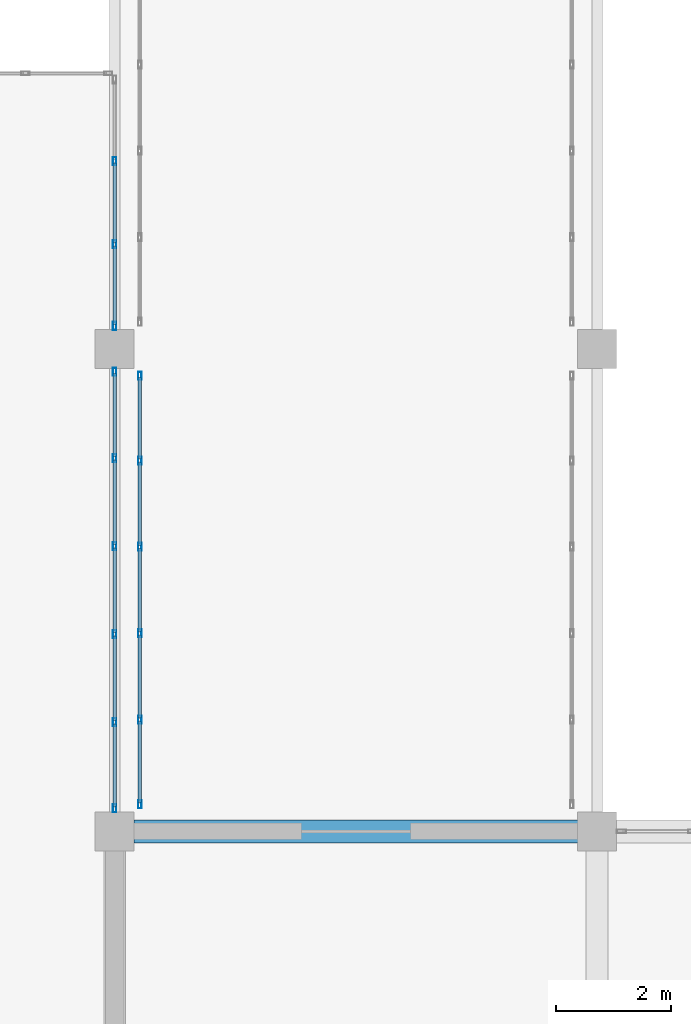
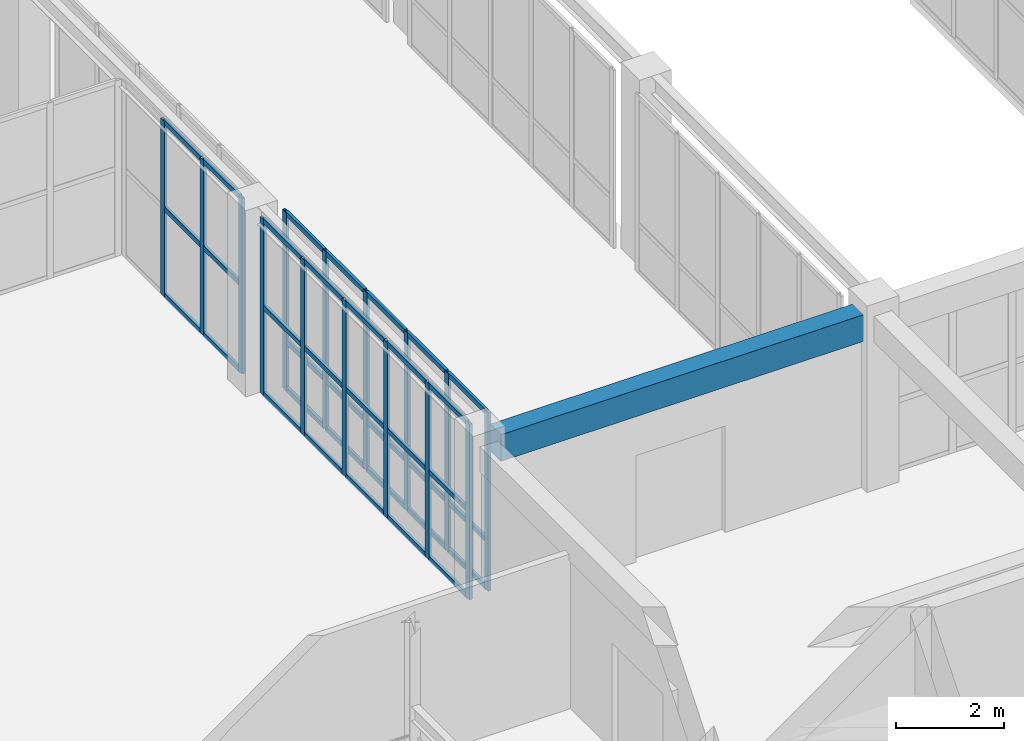
# One storey, part 58 of 140: 51 members, 1 beam, 3 elements without a shape of their own.
"""IFC4 building model written with IfcOpenShell, lengths in metres."""

from ifc_helpers import new_model, si_unit, direction, frame, origin, origin_2d, place, context, subcontext, project, spatial, rectangle, hollow_rectangle, extrude, material, layer, layer_set, material_profile, profile_set, type_object, element, aggregate, save


model = new_model("IFC4")

# Units and contexts
model_context = context("Model", 3, precision=1e-05, world=origin(), true_north=direction((0.0, 1.0)))
body_context = subcontext(model_context, "Body", "Model", "MODEL_VIEW")
ifc_project = project(units=[si_unit("LENGTHUNIT", "METRE"), si_unit("AREAUNIT", "SQUARE_METRE"), si_unit("VOLUMEUNIT", "CUBIC_METRE"), si_unit("PLANEANGLEUNIT", "RADIAN"), si_unit("MASSUNIT", "GRAM", prefix="KILO")], contexts=[model_context])

# Site, building, storey
site_placement = place(None, origin())
site = spatial("IfcSite", under=ifc_project, at=site_placement, CompositionType="ELEMENT")
building_placement = place(site_placement, origin())
building = spatial("IfcBuilding", under=site, at=building_placement, Name="Trelvath General Hospital", CompositionType="ELEMENT")
storey_placement = place(building_placement, frame((0.0, 0.0, 16.199951171875)))
storey = spatial("IfcBuildingStorey", under=building, at=storey_placement, Name="L04", CompositionType="ELEMENT", Elevation=16.199951171875)

# Beam
ifc_material_1 = material(Name="Concrete C35/45", Category="concrete")
ifc_material_profile_1 = material_profile(ifc_material_1, rectangle(XDim=0.39990234375, YDim=0.60009765625, at=origin_2d()), Name="RCB400x600")
ifc_profile_set_1 = profile_set([ifc_material_profile_1], Name="Concrete C35/45")
beam_type = type_object("IfcBeamType", Name="Beam RC400x600", PredefinedType="BEAM", material=ifc_profile_set_1)
beam_placement = place(storey_placement, frame((75.93505859375, 67.199951171875, 3.6201171875), z_axis=(1.0, 0.0, 0.0), x_axis=(0.0, 1.0, 0.0)))
element("IfcBeam", 1, at=beam_placement, inside=storey, type_object=beam_type, Name="Grid Beam BX-409I", PredefinedType="BEAM", context=body_context, shape_type="SweptSolid", body=[
    extrude(rectangle(XDim=0.39990234375, YDim=0.60009765625, at=origin_2d()), origin(), (0.0, 0.0, 1.0), 7.72998046875),
])

# Curtain wall, members
ifc_material_2 = material(Name="Anodised aluminium and low-E glass", Category="aluminium")
ifc_layer_1 = layer(ifc_material_2, 0.139892578125)
ifc_layer_set_1 = layer_set([ifc_layer_1], Name="Anodised aluminium and low-E glass")
curtain_wall_type_1 = type_object("IfcCurtainWallType", Name="CW CrystalCube 766 396 14", PredefinedType="USERDEFINED", material=ifc_layer_set_1)
curtain_wall_1_placement = place(storey_placement, origin())
curtain_wall_1 = element("IfcCurtainWall", 2, at=curtain_wall_1_placement, inside=storey, type_object=curtain_wall_type_1, Name="Crystal Cube Curtain Wall CUBE-W-T1 E4 L04", ObjectType="Unitised Glazed Curtain Wall", PredefinedType="USERDEFINED")
ifc_material_3 = material(Name="Anodised aluminium", Category="aluminium")
ifc_material_profile_2 = material_profile(ifc_material_3, hollow_rectangle(XDim=0.06005859375, YDim=0.139892578125, WallThickness=0.00390625, at=origin_2d()), Name="RHS60x140x4")
ifc_profile_set_2 = profile_set([ifc_material_profile_2], Name="Anodised aluminium")
member_type_1 = type_object("IfcMemberType", Name="CurtainMullion 60x140", PredefinedType="MULLION", material=ifc_profile_set_2)
member_1_placement = place(storey_placement, frame((75.60009765625, 75.199951171875, 0.0), z_axis=(0.0, 0.0, 1.0), x_axis=(1.0, 0.0, 0.0)))
member_1 = element("IfcMember", 3, at=member_1_placement, type_object=member_type_1, Name="CW-279 mullion 1", PredefinedType="MULLION", context=body_context, shape_type="SweptSolid", body=[
    extrude(hollow_rectangle(XDim=0.06005859375, YDim=0.139892578125, WallThickness=0.00390625, at=origin_2d()), origin(), (0.0, 0.0, 1.0), 3.9599609375),
])
member_2_placement = place(storey_placement, frame((75.60009765625, 73.697998046875, 0.0), z_axis=(0.0, 0.0, 1.0), x_axis=(1.0, 0.0, 0.0)))
member_2 = element("IfcMember", 4, at=member_2_placement, type_object=member_type_1, Name="CW-279 mullion 2", PredefinedType="MULLION", context=body_context, shape_type="SweptSolid", body=[
    extrude(hollow_rectangle(XDim=0.06005859375, YDim=0.139892578125, WallThickness=0.00390625, at=origin_2d()), origin(), (0.0, 0.0, 1.0), 3.9599609375),
])
member_3_placement = place(storey_placement, frame((75.60009765625, 72.166015625, 0.0), z_axis=(0.0, 0.0, 1.0), x_axis=(1.0, 0.0, 0.0)))
member_3 = element("IfcMember", 5, at=member_3_placement, type_object=member_type_1, Name="CW-279 mullion 3", PredefinedType="MULLION", context=body_context, shape_type="SweptSolid", body=[
    extrude(hollow_rectangle(XDim=0.06005859375, YDim=0.139892578125, WallThickness=0.00390625, at=origin_2d()), origin(), (0.0, 0.0, 1.0), 3.9599609375),
])
member_4_placement = place(storey_placement, frame((75.60009765625, 70.634033203125, 0.0), z_axis=(0.0, 0.0, 1.0), x_axis=(1.0, 0.0, 0.0)))
member_4 = element("IfcMember", 6, at=member_4_placement, type_object=member_type_1, Name="CW-279 mullion 4", PredefinedType="MULLION", context=body_context, shape_type="SweptSolid", body=[
    extrude(hollow_rectangle(XDim=0.06005859375, YDim=0.139892578125, WallThickness=0.00390625, at=origin_2d()), origin(), (0.0, 0.0, 1.0), 3.9599609375),
])
member_5_placement = place(storey_placement, frame((75.60009765625, 69.10205078125, 0.0), z_axis=(0.0, 0.0, 1.0), x_axis=(1.0, 0.0, 0.0)))
member_5 = element("IfcMember", 7, at=member_5_placement, type_object=member_type_1, Name="CW-279 mullion 5", PredefinedType="MULLION", context=body_context, shape_type="SweptSolid", body=[
    extrude(hollow_rectangle(XDim=0.06005859375, YDim=0.139892578125, WallThickness=0.00390625, at=origin_2d()), origin(), (0.0, 0.0, 1.0), 3.9599609375),
])
member_6_placement = place(storey_placement, frame((75.60009765625, 67.60009765625, 0.0), z_axis=(0.0, 0.0, 1.0), x_axis=(1.0, 0.0, 0.0)))
member_6 = element("IfcMember", 8, at=member_6_placement, type_object=member_type_1, Name="CW-279 mullion 6", PredefinedType="MULLION", context=body_context, shape_type="SweptSolid", body=[
    extrude(hollow_rectangle(XDim=0.06005859375, YDim=0.139892578125, WallThickness=0.00390625, at=origin_2d()), origin(), (0.0, 0.0, 1.0), 3.9599609375),
])

ifc_material_4 = material(Name="Anodised aluminium and low-E glass", Category="aluminium")
ifc_layer_2 = layer(ifc_material_4, 0.139892578125)
ifc_layer_set_2 = layer_set([ifc_layer_2], Name="Anodised aluminium and low-E glass")
curtain_wall_type_2 = type_object("IfcCurtainWallType", Name="CW CrystalCube 435 396 14", PredefinedType="USERDEFINED", material=ifc_layer_set_2)
curtain_wall_2_placement = place(storey_placement, origin())
curtain_wall_2 = element("IfcCurtainWall", 9, at=curtain_wall_2_placement, inside=storey, type_object=curtain_wall_type_2, Name="Crystal Cube Curtain Wall CUBE-W-T1 E5 L04", ObjectType="Unitised Glazed Curtain Wall", PredefinedType="USERDEFINED")
member_7_placement = place(storey_placement, frame((75.60009765625, 78.8701171875, 0.0), z_axis=(0.0, 0.0, 1.0), x_axis=(1.0, 0.0, 0.0)))
member_7 = element("IfcMember", 10, at=member_7_placement, type_object=member_type_1, Name="CW-281 mullion 2", PredefinedType="MULLION", context=body_context, shape_type="SweptSolid", body=[
    extrude(hollow_rectangle(XDim=0.06005859375, YDim=0.139892578125, WallThickness=0.00390625, at=origin_2d()), origin(), (0.0, 0.0, 1.0), 3.9599609375),
])
member_8_placement = place(storey_placement, frame((75.60009765625, 77.419921875, 0.0), z_axis=(0.0, 0.0, 1.0), x_axis=(1.0, 0.0, 0.0)))
member_8 = element("IfcMember", 11, at=member_8_placement, type_object=member_type_1, Name="CW-281 mullion 3", PredefinedType="MULLION", context=body_context, shape_type="SweptSolid", body=[
    extrude(hollow_rectangle(XDim=0.06005859375, YDim=0.139892578125, WallThickness=0.00390625, at=origin_2d()), origin(), (0.0, 0.0, 1.0), 3.9599609375),
])
member_9_placement = place(storey_placement, frame((75.60009765625, 76.0, 0.0), z_axis=(0.0, 0.0, 1.0), x_axis=(1.0, 0.0, 0.0)))
member_9 = element("IfcMember", 12, at=member_9_placement, type_object=member_type_1, Name="CW-281 mullion 4", PredefinedType="MULLION", context=body_context, shape_type="SweptSolid", body=[
    extrude(hollow_rectangle(XDim=0.06005859375, YDim=0.139892578125, WallThickness=0.00390625, at=origin_2d()), origin(), (0.0, 0.0, 1.0), 3.9599609375),
])

ifc_material_5 = material(Name="Anodised aluminium and low-E glass", Category="aluminium")
ifc_layer_3 = layer(ifc_material_5, 0.139892578125)
ifc_layer_set_3 = layer_set([ifc_layer_3], Name="Anodised aluminium and low-E glass")
curtain_wall_type_3 = type_object("IfcCurtainWallType", Name="CW Bridge 752 401", PredefinedType="USERDEFINED", material=ifc_layer_set_3)
curtain_wall_3_placement = place(storey_placement, origin())
curtain_wall_3 = element("IfcCurtainWall", 13, at=curtain_wall_3_placement, inside=storey, type_object=curtain_wall_type_3, Name="Glazed Bridge Curtain Wall BRG-N-C W L04", ObjectType="Unitised Glazed Curtain Wall", PredefinedType="USERDEFINED")
member_10_placement = place(storey_placement, frame((76.0400390625, 67.669921875, 0.0), z_axis=(0.0, 0.0, 1.0), x_axis=(-1.0, 0.0, 0.0)))
member_10 = element("IfcMember", 14, at=member_10_placement, type_object=member_type_1, Name="CW-296 mullion 1", PredefinedType="MULLION", context=body_context, shape_type="SweptSolid", body=[
    extrude(hollow_rectangle(XDim=0.06005859375, YDim=0.139892578125, WallThickness=0.00390625, at=origin_2d()), origin(), (0.0, 0.0, 1.0), 4.010009765625),
])
member_11_placement = place(storey_placement, frame((76.0400390625, 69.14404296875, 0.0), z_axis=(0.0, 0.0, 1.0), x_axis=(-1.0, 0.0, 0.0)))
member_11 = element("IfcMember", 15, at=member_11_placement, type_object=member_type_1, Name="CW-296 mullion 2", PredefinedType="MULLION", context=body_context, shape_type="SweptSolid", body=[
    extrude(hollow_rectangle(XDim=0.06005859375, YDim=0.139892578125, WallThickness=0.00390625, at=origin_2d()), origin(), (0.0, 0.0, 1.0), 4.010009765625),
])
member_12_placement = place(storey_placement, frame((76.0400390625, 70.64794921875, 0.0), z_axis=(0.0, 0.0, 1.0), x_axis=(-1.0, 0.0, 0.0)))
member_12 = element("IfcMember", 16, at=member_12_placement, type_object=member_type_1, Name="CW-296 mullion 3", PredefinedType="MULLION", context=body_context, shape_type="SweptSolid", body=[
    extrude(hollow_rectangle(XDim=0.06005859375, YDim=0.139892578125, WallThickness=0.00390625, at=origin_2d()), origin(), (0.0, 0.0, 1.0), 4.010009765625),
])
member_13_placement = place(storey_placement, frame((76.0400390625, 72.152099609375, 0.0), z_axis=(0.0, 0.0, 1.0), x_axis=(-1.0, 0.0, 0.0)))
member_13 = element("IfcMember", 17, at=member_13_placement, type_object=member_type_1, Name="CW-296 mullion 4", PredefinedType="MULLION", context=body_context, shape_type="SweptSolid", body=[
    extrude(hollow_rectangle(XDim=0.06005859375, YDim=0.139892578125, WallThickness=0.00390625, at=origin_2d()), origin(), (0.0, 0.0, 1.0), 4.010009765625),
])
member_14_placement = place(storey_placement, frame((76.0400390625, 73.656005859375, 0.0), z_axis=(0.0, 0.0, 1.0), x_axis=(-1.0, 0.0, 0.0)))
member_14 = element("IfcMember", 18, at=member_14_placement, type_object=member_type_1, Name="CW-296 mullion 5", PredefinedType="MULLION", context=body_context, shape_type="SweptSolid", body=[
    extrude(hollow_rectangle(XDim=0.06005859375, YDim=0.139892578125, WallThickness=0.00390625, at=origin_2d()), origin(), (0.0, 0.0, 1.0), 4.010009765625),
])
member_15_placement = place(storey_placement, frame((76.0400390625, 75.1298828125, 0.0), z_axis=(0.0, 0.0, 1.0), x_axis=(-1.0, 0.0, 0.0)))
member_15 = element("IfcMember", 19, at=member_15_placement, type_object=member_type_1, Name="CW-296 mullion 6", PredefinedType="MULLION", context=body_context, shape_type="SweptSolid", body=[
    extrude(hollow_rectangle(XDim=0.06005859375, YDim=0.139892578125, WallThickness=0.00390625, at=origin_2d()), origin(), (0.0, 0.0, 1.0), 4.010009765625),
])

# Member
ifc_material_6 = material(Name="Anodised aluminium", Category="aluminium")
ifc_material_profile_3 = material_profile(ifc_material_6, hollow_rectangle(XDim=0.06005859375, YDim=0.110107421875, WallThickness=0.00390625, at=origin_2d()), Name="RHS60x110x4")
ifc_profile_set_3 = profile_set([ifc_material_profile_3], Name="Anodised aluminium")
member_type_2 = type_object("IfcMemberType", Name="CurtainTransom 60x110", PredefinedType="USERDEFINED", material=ifc_profile_set_3)
member_16_placement = place(storey_placement, frame((75.60009765625, 75.169921875, 0.030029296875), z_axis=(0.0, -1.0, 0.0), x_axis=(1.0, 0.0, 0.0)))
member_16 = element("IfcMember", 20, at=member_16_placement, type_object=member_type_2, Name="CW-279 transom 1.1", ObjectType="TRANSOM", PredefinedType="USERDEFINED", context=body_context, shape_type="SweptSolid", body=[
    extrude(hollow_rectangle(XDim=0.06005859375, YDim=0.110107421875, WallThickness=0.00390625, at=origin_2d()), origin(), (0.0, 0.0, 1.0), 1.44189453125),
])

member_17_placement = place(storey_placement, frame((75.60009765625, 75.169921875, 1.97998046875), z_axis=(0.0, -1.0, 0.0), x_axis=(1.0, 0.0, 0.0)))
member_17 = element("IfcMember", 21, at=member_17_placement, type_object=member_type_2, Name="CW-279 transom 1.2", ObjectType="TRANSOM", PredefinedType="USERDEFINED", context=body_context, shape_type="SweptSolid", body=[
    extrude(hollow_rectangle(XDim=0.06005859375, YDim=0.110107421875, WallThickness=0.00390625, at=origin_2d()), origin(), (0.0, 0.0, 1.0), 1.44189453125),
])

member_18_placement = place(storey_placement, frame((75.60009765625, 75.169921875, 3.929931640625), z_axis=(0.0, -1.0, 0.0), x_axis=(1.0, 0.0, 0.0)))
member_18 = element("IfcMember", 22, at=member_18_placement, type_object=member_type_2, Name="CW-279 transom 1.3", ObjectType="TRANSOM", PredefinedType="USERDEFINED", context=body_context, shape_type="SweptSolid", body=[
    extrude(hollow_rectangle(XDim=0.06005859375, YDim=0.110107421875, WallThickness=0.00390625, at=origin_2d()), origin(), (0.0, 0.0, 1.0), 1.44189453125),
])

member_19_placement = place(storey_placement, frame((75.60009765625, 73.66796875, 0.030029296875), z_axis=(0.0, -1.0, 0.0), x_axis=(1.0, 0.0, 0.0)))
member_19 = element("IfcMember", 23, at=member_19_placement, type_object=member_type_2, Name="CW-279 transom 2.1", ObjectType="TRANSOM", PredefinedType="USERDEFINED", context=body_context, shape_type="SweptSolid", body=[
    extrude(hollow_rectangle(XDim=0.06005859375, YDim=0.110107421875, WallThickness=0.00390625, at=origin_2d()), origin(), (0.0, 0.0, 1.0), 1.471923828125),
])

member_20_placement = place(storey_placement, frame((75.60009765625, 73.66796875, 1.97998046875), z_axis=(0.0, -1.0, 0.0), x_axis=(1.0, 0.0, 0.0)))
member_20 = element("IfcMember", 24, at=member_20_placement, type_object=member_type_2, Name="CW-279 transom 2.2", ObjectType="TRANSOM", PredefinedType="USERDEFINED", context=body_context, shape_type="SweptSolid", body=[
    extrude(hollow_rectangle(XDim=0.06005859375, YDim=0.110107421875, WallThickness=0.00390625, at=origin_2d()), origin(), (0.0, 0.0, 1.0), 1.471923828125),
])

member_21_placement = place(storey_placement, frame((75.60009765625, 73.66796875, 3.929931640625), z_axis=(0.0, -1.0, 0.0), x_axis=(1.0, 0.0, 0.0)))
member_21 = element("IfcMember", 25, at=member_21_placement, type_object=member_type_2, Name="CW-279 transom 2.3", ObjectType="TRANSOM", PredefinedType="USERDEFINED", context=body_context, shape_type="SweptSolid", body=[
    extrude(hollow_rectangle(XDim=0.06005859375, YDim=0.110107421875, WallThickness=0.00390625, at=origin_2d()), origin(), (0.0, 0.0, 1.0), 1.471923828125),
])

member_22_placement = place(storey_placement, frame((75.60009765625, 72.135986328125, 0.030029296875), z_axis=(0.0, -1.0, 0.0), x_axis=(1.0, 0.0, 0.0)))
member_22 = element("IfcMember", 26, at=member_22_placement, type_object=member_type_2, Name="CW-279 transom 3.1", ObjectType="TRANSOM", PredefinedType="USERDEFINED", context=body_context, shape_type="SweptSolid", body=[
    extrude(hollow_rectangle(XDim=0.06005859375, YDim=0.110107421875, WallThickness=0.00390625, at=origin_2d()), origin(), (0.0, 0.0, 1.0), 1.471923828125),
])

member_23_placement = place(storey_placement, frame((75.60009765625, 72.135986328125, 1.97998046875), z_axis=(0.0, -1.0, 0.0), x_axis=(1.0, 0.0, 0.0)))
member_23 = element("IfcMember", 27, at=member_23_placement, type_object=member_type_2, Name="CW-279 transom 3.2", ObjectType="TRANSOM", PredefinedType="USERDEFINED", context=body_context, shape_type="SweptSolid", body=[
    extrude(hollow_rectangle(XDim=0.06005859375, YDim=0.110107421875, WallThickness=0.00390625, at=origin_2d()), origin(), (0.0, 0.0, 1.0), 1.471923828125),
])

member_24_placement = place(storey_placement, frame((75.60009765625, 72.135986328125, 3.929931640625), z_axis=(0.0, -1.0, 0.0), x_axis=(1.0, 0.0, 0.0)))
member_24 = element("IfcMember", 28, at=member_24_placement, type_object=member_type_2, Name="CW-279 transom 3.3", ObjectType="TRANSOM", PredefinedType="USERDEFINED", context=body_context, shape_type="SweptSolid", body=[
    extrude(hollow_rectangle(XDim=0.06005859375, YDim=0.110107421875, WallThickness=0.00390625, at=origin_2d()), origin(), (0.0, 0.0, 1.0), 1.471923828125),
])

member_25_placement = place(storey_placement, frame((75.60009765625, 70.60400390625, 0.030029296875), z_axis=(0.0, -1.0, 0.0), x_axis=(1.0, 0.0, 0.0)))
member_25 = element("IfcMember", 29, at=member_25_placement, type_object=member_type_2, Name="CW-279 transom 4.1", ObjectType="TRANSOM", PredefinedType="USERDEFINED", context=body_context, shape_type="SweptSolid", body=[
    extrude(hollow_rectangle(XDim=0.06005859375, YDim=0.110107421875, WallThickness=0.00390625, at=origin_2d()), origin(), (0.0, 0.0, 1.0), 1.471923828125),
])

member_26_placement = place(storey_placement, frame((75.60009765625, 70.60400390625, 1.97998046875), z_axis=(0.0, -1.0, 0.0), x_axis=(1.0, 0.0, 0.0)))
member_26 = element("IfcMember", 30, at=member_26_placement, type_object=member_type_2, Name="CW-279 transom 4.2", ObjectType="TRANSOM", PredefinedType="USERDEFINED", context=body_context, shape_type="SweptSolid", body=[
    extrude(hollow_rectangle(XDim=0.06005859375, YDim=0.110107421875, WallThickness=0.00390625, at=origin_2d()), origin(), (0.0, 0.0, 1.0), 1.471923828125),
])

member_27_placement = place(storey_placement, frame((75.60009765625, 70.60400390625, 3.929931640625), z_axis=(0.0, -1.0, 0.0), x_axis=(1.0, 0.0, 0.0)))
member_27 = element("IfcMember", 31, at=member_27_placement, type_object=member_type_2, Name="CW-279 transom 4.3", ObjectType="TRANSOM", PredefinedType="USERDEFINED", context=body_context, shape_type="SweptSolid", body=[
    extrude(hollow_rectangle(XDim=0.06005859375, YDim=0.110107421875, WallThickness=0.00390625, at=origin_2d()), origin(), (0.0, 0.0, 1.0), 1.471923828125),
])

member_28_placement = place(storey_placement, frame((75.60009765625, 69.072021484375, 0.030029296875), z_axis=(0.0, -1.0, 0.0), x_axis=(1.0, 0.0, 0.0)))
member_28 = element("IfcMember", 32, at=member_28_placement, type_object=member_type_2, Name="CW-279 transom 5.1", ObjectType="TRANSOM", PredefinedType="USERDEFINED", context=body_context, shape_type="SweptSolid", body=[
    extrude(hollow_rectangle(XDim=0.06005859375, YDim=0.110107421875, WallThickness=0.00390625, at=origin_2d()), origin(), (0.0, 0.0, 1.0), 1.442138671875),
])

member_29_placement = place(storey_placement, frame((75.60009765625, 69.072021484375, 1.97998046875), z_axis=(0.0, -1.0, 0.0), x_axis=(1.0, 0.0, 0.0)))
member_29 = element("IfcMember", 33, at=member_29_placement, type_object=member_type_2, Name="CW-279 transom 5.2", ObjectType="TRANSOM", PredefinedType="USERDEFINED", context=body_context, shape_type="SweptSolid", body=[
    extrude(hollow_rectangle(XDim=0.06005859375, YDim=0.110107421875, WallThickness=0.00390625, at=origin_2d()), origin(), (0.0, 0.0, 1.0), 1.442138671875),
])

member_30_placement = place(storey_placement, frame((75.60009765625, 69.072021484375, 3.929931640625), z_axis=(0.0, -1.0, 0.0), x_axis=(1.0, 0.0, 0.0)))
member_30 = element("IfcMember", 34, at=member_30_placement, type_object=member_type_2, Name="CW-279 transom 5.3", ObjectType="TRANSOM", PredefinedType="USERDEFINED", context=body_context, shape_type="SweptSolid", body=[
    extrude(hollow_rectangle(XDim=0.06005859375, YDim=0.110107421875, WallThickness=0.00390625, at=origin_2d()), origin(), (0.0, 0.0, 1.0), 1.442138671875),
])

aggregate(curtain_wall_1, [member_1, member_2, member_3, member_4, member_5, member_6, member_16, member_17, member_18, member_19, member_20, member_21, member_22, member_23, member_24, member_25, member_26, member_27, member_28, member_29, member_30])

member_31_placement = place(storey_placement, frame((75.60009765625, 78.840087890625, 0.030029296875), z_axis=(0.0, -1.0, 0.0), x_axis=(1.0, 0.0, 0.0)))
member_31 = element("IfcMember", 35, at=member_31_placement, type_object=member_type_2, Name="CW-281 transom 2.1", ObjectType="TRANSOM", PredefinedType="USERDEFINED", context=body_context, shape_type="SweptSolid", body=[
    extrude(hollow_rectangle(XDim=0.06005859375, YDim=0.110107421875, WallThickness=0.00390625, at=origin_2d()), origin(), (0.0, 0.0, 1.0), 1.39013671875),
])

member_32_placement = place(storey_placement, frame((75.60009765625, 78.840087890625, 1.97998046875), z_axis=(0.0, -1.0, 0.0), x_axis=(1.0, 0.0, 0.0)))
member_32 = element("IfcMember", 36, at=member_32_placement, type_object=member_type_2, Name="CW-281 transom 2.2", ObjectType="TRANSOM", PredefinedType="USERDEFINED", context=body_context, shape_type="SweptSolid", body=[
    extrude(hollow_rectangle(XDim=0.06005859375, YDim=0.110107421875, WallThickness=0.00390625, at=origin_2d()), origin(), (0.0, 0.0, 1.0), 1.39013671875),
])

member_33_placement = place(storey_placement, frame((75.60009765625, 78.840087890625, 3.929931640625), z_axis=(0.0, -1.0, 0.0), x_axis=(1.0, 0.0, 0.0)))
member_33 = element("IfcMember", 37, at=member_33_placement, type_object=member_type_2, Name="CW-281 transom 2.3", ObjectType="TRANSOM", PredefinedType="USERDEFINED", context=body_context, shape_type="SweptSolid", body=[
    extrude(hollow_rectangle(XDim=0.06005859375, YDim=0.110107421875, WallThickness=0.00390625, at=origin_2d()), origin(), (0.0, 0.0, 1.0), 1.39013671875),
])

member_34_placement = place(storey_placement, frame((75.60009765625, 77.389892578125, 0.030029296875), z_axis=(0.0, -1.0, 0.0), x_axis=(1.0, 0.0, 0.0)))
member_34 = element("IfcMember", 38, at=member_34_placement, type_object=member_type_2, Name="CW-281 transom 3.1", ObjectType="TRANSOM", PredefinedType="USERDEFINED", context=body_context, shape_type="SweptSolid", body=[
    extrude(hollow_rectangle(XDim=0.06005859375, YDim=0.110107421875, WallThickness=0.00390625, at=origin_2d()), origin(), (0.0, 0.0, 1.0), 1.35986328125),
])

member_35_placement = place(storey_placement, frame((75.60009765625, 77.389892578125, 1.97998046875), z_axis=(0.0, -1.0, 0.0), x_axis=(1.0, 0.0, 0.0)))
member_35 = element("IfcMember", 39, at=member_35_placement, type_object=member_type_2, Name="CW-281 transom 3.2", ObjectType="TRANSOM", PredefinedType="USERDEFINED", context=body_context, shape_type="SweptSolid", body=[
    extrude(hollow_rectangle(XDim=0.06005859375, YDim=0.110107421875, WallThickness=0.00390625, at=origin_2d()), origin(), (0.0, 0.0, 1.0), 1.35986328125),
])

member_36_placement = place(storey_placement, frame((75.60009765625, 77.389892578125, 3.929931640625), z_axis=(0.0, -1.0, 0.0), x_axis=(1.0, 0.0, 0.0)))
member_36 = element("IfcMember", 40, at=member_36_placement, type_object=member_type_2, Name="CW-281 transom 3.3", ObjectType="TRANSOM", PredefinedType="USERDEFINED", context=body_context, shape_type="SweptSolid", body=[
    extrude(hollow_rectangle(XDim=0.06005859375, YDim=0.110107421875, WallThickness=0.00390625, at=origin_2d()), origin(), (0.0, 0.0, 1.0), 1.35986328125),
])

aggregate(curtain_wall_2, [member_7, member_8, member_9, member_31, member_32, member_33, member_34, member_35, member_36])

member_37_placement = place(storey_placement, frame((76.0400390625, 67.699951171875, 0.030029296875), z_axis=(0.0, 1.0, 0.0), x_axis=(-1.0, 0.0, 0.0)))
member_37 = element("IfcMember", 41, at=member_37_placement, type_object=member_type_2, Name="CW-296 transom 1.1", ObjectType="TRANSOM", PredefinedType="USERDEFINED", context=body_context, shape_type="SweptSolid", body=[
    extrude(hollow_rectangle(XDim=0.06005859375, YDim=0.110107421875, WallThickness=0.00390625, at=origin_2d()), origin(), (0.0, 0.0, 1.0), 1.4140625),
])

member_38_placement = place(storey_placement, frame((76.0400390625, 67.699951171875, 1.10009765625), z_axis=(0.0, 1.0, 0.0), x_axis=(-1.0, 0.0, 0.0)))
member_38 = element("IfcMember", 42, at=member_38_placement, type_object=member_type_2, Name="CW-296 transom 1.2", ObjectType="TRANSOM", PredefinedType="USERDEFINED", context=body_context, shape_type="SweptSolid", body=[
    extrude(hollow_rectangle(XDim=0.06005859375, YDim=0.110107421875, WallThickness=0.00390625, at=origin_2d()), origin(), (0.0, 0.0, 1.0), 1.4140625),
])

member_39_placement = place(storey_placement, frame((76.0400390625, 67.699951171875, 3.97998046875), z_axis=(0.0, 1.0, 0.0), x_axis=(-1.0, 0.0, 0.0)))
member_39 = element("IfcMember", 43, at=member_39_placement, type_object=member_type_2, Name="CW-296 transom 1.3", ObjectType="TRANSOM", PredefinedType="USERDEFINED", context=body_context, shape_type="SweptSolid", body=[
    extrude(hollow_rectangle(XDim=0.06005859375, YDim=0.110107421875, WallThickness=0.00390625, at=origin_2d()), origin(), (0.0, 0.0, 1.0), 1.4140625),
])

member_40_placement = place(storey_placement, frame((76.0400390625, 69.174072265625, 0.030029296875), z_axis=(0.0, 1.0, 0.0), x_axis=(-1.0, 0.0, 0.0)))
member_40 = element("IfcMember", 44, at=member_40_placement, type_object=member_type_2, Name="CW-296 transom 2.1", ObjectType="TRANSOM", PredefinedType="USERDEFINED", context=body_context, shape_type="SweptSolid", body=[
    extrude(hollow_rectangle(XDim=0.06005859375, YDim=0.110107421875, WallThickness=0.00390625, at=origin_2d()), origin(), (0.0, 0.0, 1.0), 1.44384765625),
])

member_41_placement = place(storey_placement, frame((76.0400390625, 69.174072265625, 1.10009765625), z_axis=(0.0, 1.0, 0.0), x_axis=(-1.0, 0.0, 0.0)))
member_41 = element("IfcMember", 45, at=member_41_placement, type_object=member_type_2, Name="CW-296 transom 2.2", ObjectType="TRANSOM", PredefinedType="USERDEFINED", context=body_context, shape_type="SweptSolid", body=[
    extrude(hollow_rectangle(XDim=0.06005859375, YDim=0.110107421875, WallThickness=0.00390625, at=origin_2d()), origin(), (0.0, 0.0, 1.0), 1.44384765625),
])

member_42_placement = place(storey_placement, frame((76.0400390625, 69.174072265625, 3.97998046875), z_axis=(0.0, 1.0, 0.0), x_axis=(-1.0, 0.0, 0.0)))
member_42 = element("IfcMember", 46, at=member_42_placement, type_object=member_type_2, Name="CW-296 transom 2.3", ObjectType="TRANSOM", PredefinedType="USERDEFINED", context=body_context, shape_type="SweptSolid", body=[
    extrude(hollow_rectangle(XDim=0.06005859375, YDim=0.110107421875, WallThickness=0.00390625, at=origin_2d()), origin(), (0.0, 0.0, 1.0), 1.44384765625),
])

member_43_placement = place(storey_placement, frame((76.0400390625, 70.677978515625, 0.030029296875), z_axis=(0.0, 1.0, 0.0), x_axis=(-1.0, 0.0, 0.0)))
member_43 = element("IfcMember", 47, at=member_43_placement, type_object=member_type_2, Name="CW-296 transom 3.1", ObjectType="TRANSOM", PredefinedType="USERDEFINED", context=body_context, shape_type="SweptSolid", body=[
    extrude(hollow_rectangle(XDim=0.06005859375, YDim=0.110107421875, WallThickness=0.00390625, at=origin_2d()), origin(), (0.0, 0.0, 1.0), 1.444091796875),
])

member_44_placement = place(storey_placement, frame((76.0400390625, 70.677978515625, 1.10009765625), z_axis=(0.0, 1.0, 0.0), x_axis=(-1.0, 0.0, 0.0)))
member_44 = element("IfcMember", 48, at=member_44_placement, type_object=member_type_2, Name="CW-296 transom 3.2", ObjectType="TRANSOM", PredefinedType="USERDEFINED", context=body_context, shape_type="SweptSolid", body=[
    extrude(hollow_rectangle(XDim=0.06005859375, YDim=0.110107421875, WallThickness=0.00390625, at=origin_2d()), origin(), (0.0, 0.0, 1.0), 1.444091796875),
])

member_45_placement = place(storey_placement, frame((76.0400390625, 70.677978515625, 3.97998046875), z_axis=(0.0, 1.0, 0.0), x_axis=(-1.0, 0.0, 0.0)))
member_45 = element("IfcMember", 49, at=member_45_placement, type_object=member_type_2, Name="CW-296 transom 3.3", ObjectType="TRANSOM", PredefinedType="USERDEFINED", context=body_context, shape_type="SweptSolid", body=[
    extrude(hollow_rectangle(XDim=0.06005859375, YDim=0.110107421875, WallThickness=0.00390625, at=origin_2d()), origin(), (0.0, 0.0, 1.0), 1.444091796875),
])

member_46_placement = place(storey_placement, frame((76.0400390625, 72.181884765625, 0.030029296875), z_axis=(0.0, 1.0, 0.0), x_axis=(-1.0, 0.0, 0.0)))
member_46 = element("IfcMember", 50, at=member_46_placement, type_object=member_type_2, Name="CW-296 transom 4.1", ObjectType="TRANSOM", PredefinedType="USERDEFINED", context=body_context, shape_type="SweptSolid", body=[
    extrude(hollow_rectangle(XDim=0.06005859375, YDim=0.110107421875, WallThickness=0.00390625, at=origin_2d()), origin(), (0.0, 0.0, 1.0), 1.444091796875),
])

member_47_placement = place(storey_placement, frame((76.0400390625, 72.181884765625, 1.10009765625), z_axis=(0.0, 1.0, 0.0), x_axis=(-1.0, 0.0, 0.0)))
member_47 = element("IfcMember", 51, at=member_47_placement, type_object=member_type_2, Name="CW-296 transom 4.2", ObjectType="TRANSOM", PredefinedType="USERDEFINED", context=body_context, shape_type="SweptSolid", body=[
    extrude(hollow_rectangle(XDim=0.06005859375, YDim=0.110107421875, WallThickness=0.00390625, at=origin_2d()), origin(), (0.0, 0.0, 1.0), 1.444091796875),
])

member_48_placement = place(storey_placement, frame((76.0400390625, 72.181884765625, 3.97998046875), z_axis=(0.0, 1.0, 0.0), x_axis=(-1.0, 0.0, 0.0)))
member_48 = element("IfcMember", 52, at=member_48_placement, type_object=member_type_2, Name="CW-296 transom 4.3", ObjectType="TRANSOM", PredefinedType="USERDEFINED", context=body_context, shape_type="SweptSolid", body=[
    extrude(hollow_rectangle(XDim=0.06005859375, YDim=0.110107421875, WallThickness=0.00390625, at=origin_2d()), origin(), (0.0, 0.0, 1.0), 1.444091796875),
])

member_49_placement = place(storey_placement, frame((76.0400390625, 73.68603515625, 0.030029296875), z_axis=(0.0, 1.0, 0.0), x_axis=(-1.0, 0.0, 0.0)))
member_49 = element("IfcMember", 53, at=member_49_placement, type_object=member_type_2, Name="CW-296 transom 5.1", ObjectType="TRANSOM", PredefinedType="USERDEFINED", context=body_context, shape_type="SweptSolid", body=[
    extrude(hollow_rectangle(XDim=0.06005859375, YDim=0.110107421875, WallThickness=0.00390625, at=origin_2d()), origin(), (0.0, 0.0, 1.0), 1.4140625),
])

member_50_placement = place(storey_placement, frame((76.0400390625, 73.68603515625, 1.10009765625), z_axis=(0.0, 1.0, 0.0), x_axis=(-1.0, 0.0, 0.0)))
member_50 = element("IfcMember", 54, at=member_50_placement, type_object=member_type_2, Name="CW-296 transom 5.2", ObjectType="TRANSOM", PredefinedType="USERDEFINED", context=body_context, shape_type="SweptSolid", body=[
    extrude(hollow_rectangle(XDim=0.06005859375, YDim=0.110107421875, WallThickness=0.00390625, at=origin_2d()), origin(), (0.0, 0.0, 1.0), 1.4140625),
])

member_51_placement = place(storey_placement, frame((76.0400390625, 73.68603515625, 3.97998046875), z_axis=(0.0, 1.0, 0.0), x_axis=(-1.0, 0.0, 0.0)))
member_51 = element("IfcMember", 55, at=member_51_placement, type_object=member_type_2, Name="CW-296 transom 5.3", ObjectType="TRANSOM", PredefinedType="USERDEFINED", context=body_context, shape_type="SweptSolid", body=[
    extrude(hollow_rectangle(XDim=0.06005859375, YDim=0.110107421875, WallThickness=0.00390625, at=origin_2d()), origin(), (0.0, 0.0, 1.0), 1.4140625),
])

aggregate(curtain_wall_3, [member_10, member_11, member_12, member_13, member_14, member_15, member_37, member_38, member_39, member_40, member_41, member_42, member_43, member_44, member_45, member_46, member_47, member_48, member_49, member_50, member_51])

save(model, "model.ifc")
